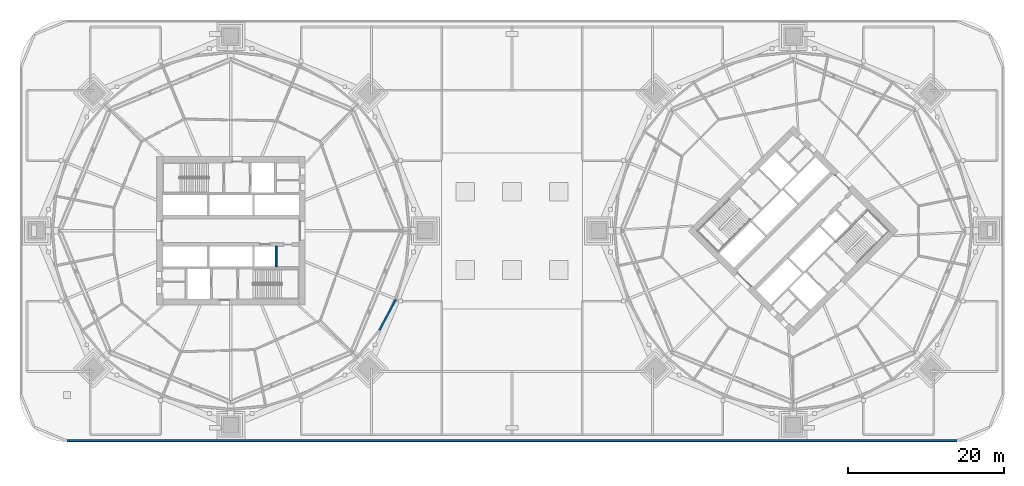
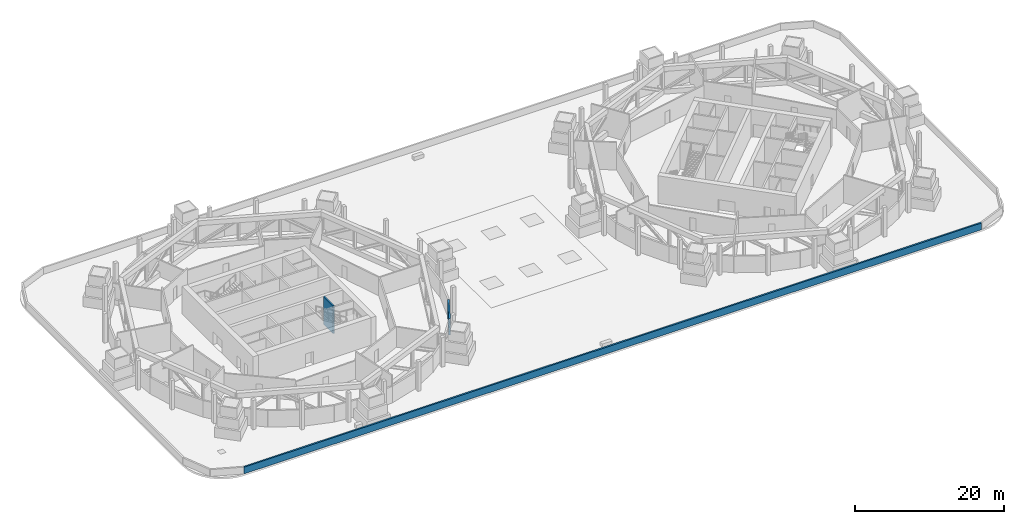
# One storey, part 12 of 21: 3 walls.
"""IFC4 building model written with IfcOpenShell, lengths in metres."""

from ifc_helpers import new_model, si_unit, direction, frame, frame_2d, origin, place, context, subcontext, project, spatial, rectangle, extrude, material, layer, layer_set, type_object, element, save


model = new_model("IFC4")

# Units and contexts
model_context = context("Model", 3, precision=1e-05, world=origin(), true_north=direction((0.0, 1.0)))
body_context = subcontext(model_context, "Body", "Model", "MODEL_VIEW")
ifc_project = project(units=[si_unit("LENGTHUNIT", "METRE"), si_unit("AREAUNIT", "SQUARE_METRE"), si_unit("VOLUMEUNIT", "CUBIC_METRE"), si_unit("PLANEANGLEUNIT", "RADIAN"), si_unit("MASSUNIT", "GRAM", prefix="KILO")], contexts=[model_context])

# Site, building, storey
site_placement = place(None, origin())
site = spatial("IfcSite", under=ifc_project, at=site_placement, CompositionType="ELEMENT")
building_placement = place(site_placement, origin())
building = spatial("IfcBuilding", under=site, at=building_placement, Name="Ogive Gate Towers", CompositionType="ELEMENT")
storey_placement = place(building_placement, frame((0.0, 0.0, 27.60009765625)))
storey = spatial("IfcBuildingStorey", under=building, at=storey_placement, Name="L05", CompositionType="ELEMENT", Elevation=27.60009765625)

# Walls
ifc_material_1 = material(Name="Precast concrete C40/50", Category="concrete")
ifc_layer_1 = layer(ifc_material_1, 0.25)
ifc_layer_set_1 = layer_set([ifc_layer_1], Name="Parapet wall 1100")
wall_type_1 = type_object("IfcWallType", Name="Parapet wall 1100", PredefinedType="PARAPET", material=ifc_layer_set_1)
wall_1_placement = place(storey_placement, frame((-56.97509765625, -26.875, 0.0), z_axis=(0.0, 0.0, 1.0), x_axis=(1.0, 0.0, 0.0)))
element("IfcWall", 1, at=wall_1_placement, inside=storey, type_object=wall_type_1, Name="Parapet wall", PredefinedType="PARAPET", context=body_context, shape_type="SweptSolid", body=[
    extrude(rectangle(XDim=113.9501953125, YDim=0.25, at=frame_2d((56.97509765625, 0.0))), origin(), (0.0, 0.0, 1.0), 1.099853515625),
])
ifc_material_2 = material(Name="Pale metal aluminium louvre", Category="aluminium")
ifc_layer_2 = layer(ifc_material_2, 0.25)
ifc_layer_set_2 = layer_set([ifc_layer_2], Name="Plant louvre wall")
wall_type_2 = type_object("IfcWallType", Name="Plant louvre wall", PredefinedType="SOLIDWALL", material=ifc_layer_set_2)
wall_2_placement = place(storey_placement, frame((-16.980224609375, -12.70849609375, 0.0), z_axis=(0.0, 0.0, 1.0), x_axis=(0.471396254905, 0.88192152194, 0.0)))
element("IfcWall", 2, at=wall_2_placement, inside=storey, type_object=wall_type_2, Name="Plant louvre wall", PredefinedType="SOLIDWALL", context=body_context, shape_type="SweptSolid", body=[
    extrude(rectangle(XDim=4.484130859375, YDim=0.25, at=frame_2d((2.2421875, 0.0))), origin(), (0.0, 0.0, 1.0), 2.699951171875),
])
ifc_material_3 = material(Name="Concrete C60/75", Category="concrete")
ifc_layer_3 = layer(ifc_material_3, 0.25)
ifc_layer_set_3 = layer_set([ifc_layer_3], Name="Shaft wall 250 mm")
wall_type_3 = type_object("IfcWallType", Name="Shaft wall 250 mm", PredefinedType="SHEAR", material=ifc_layer_set_3)
wall_3_placement = place(storey_placement, frame((-30.199951171875, -4.625, 0.0), z_axis=(0.0, 0.0, 1.0), x_axis=(0.0, 1.0, 0.0)))
element("IfcWall", 3, at=wall_3_placement, inside=storey, type_object=wall_type_3, Name="T1 L05 Shaft wall 250 mm", PredefinedType="SHEAR", context=body_context, shape_type="SweptSolid", body=[
    extrude(rectangle(XDim=2.625, YDim=0.25, at=frame_2d((1.3125, 0.0))), origin(), (0.0, 0.0, 1.0), 4.5),
])

save(model, "model.ifc")
